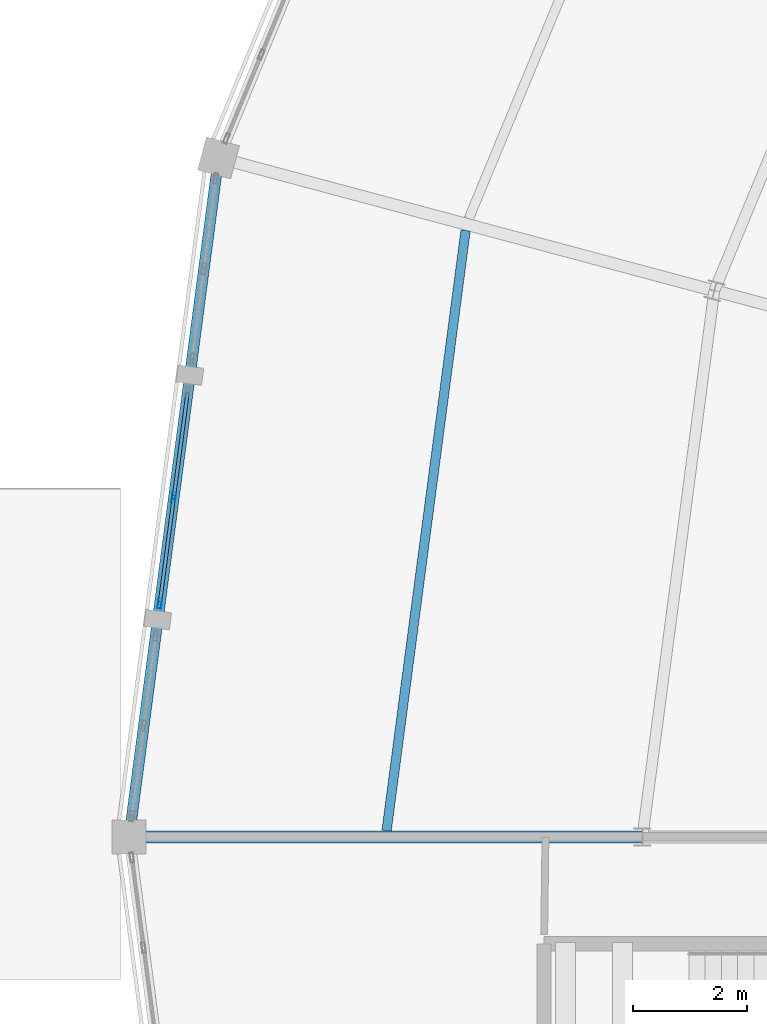
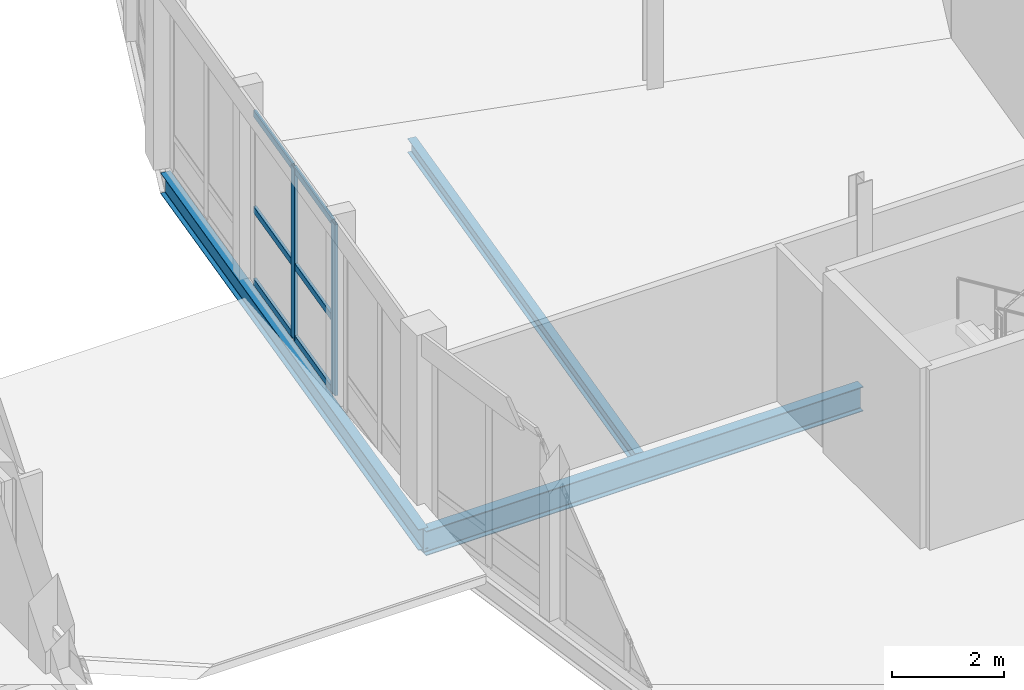
# One storey, part 50 of 170: 8 members, 3 beams, 1 element without a shape of its own.
"""IFC4 building model written with IfcOpenShell, lengths in metres."""

from ifc_helpers import new_model, si_unit, direction, frame, origin, origin_2d, place, context, subcontext, project, spatial, hollow_rectangle, i_section, extrude, material, material_profile, profile_set, type_object, element, aggregate, save


model = new_model("IFC4")

# Units and contexts
model_context = context("Model", 3, precision=1e-05, world=origin(), true_north=direction((0.0, 1.0)))
body_context = subcontext(model_context, "Body", "Model", "MODEL_VIEW")
ifc_project = project(units=[si_unit("LENGTHUNIT", "METRE"), si_unit("AREAUNIT", "SQUARE_METRE"), si_unit("VOLUMEUNIT", "CUBIC_METRE"), si_unit("PLANEANGLEUNIT", "RADIAN"), si_unit("MASSUNIT", "GRAM", prefix="KILO")], contexts=[model_context])

# Site, building, storey
site_placement = place(None, origin())
site = spatial("IfcSite", under=ifc_project, at=site_placement, CompositionType="ELEMENT")
building_placement = place(site_placement, origin())
building = spatial("IfcBuilding", under=site, at=building_placement, Name="Vondelvale Polytechnic", CompositionType="ELEMENT")
storey_placement = place(building_placement, frame((0.0, 0.0, 5.39990234375)))
storey = spatial("IfcBuildingStorey", under=building, at=storey_placement, Name="L01", CompositionType="ELEMENT", Elevation=5.39990234375)

# Beams
ifc_material_1 = material(Name="Steel 300PLUS (fy = 300 MPa)", Category="steel")
ifc_material_profile_1 = material_profile(ifc_material_1, i_section(OverallWidth=0.18994140625, OverallDepth=0.45703125, WebThickness=0.009033203125, FlangeThickness=0.014404296875, FilletRadius=0.011474609375, at=origin_2d()), Name="460UB74.6")
ifc_profile_set_1 = profile_set([ifc_material_profile_1], Name="Steel 300PLUS (fy = 300 MPa)")
beam_type_1 = type_object("IfcBeamType", Name="BM-UB460", PredefinedType="BEAM", material=ifc_profile_set_1)
beam_1_placement = place(storey_placement, frame((57.5673828125, 83.90576171875, -0.50830078125), z_axis=(-0.130522880875, -0.991445297315, 0.0), x_axis=(0.991445297315, -0.130522880875, 0.0)))
element("IfcBeam", 1, at=beam_1_placement, inside=storey, type_object=beam_type_1, Name="L01 RB B-13", PredefinedType="BEAM", context=body_context, shape_type="SweptSolid", body=[
    extrude(i_section(OverallWidth=0.18994140625, OverallDepth=0.45703125, WebThickness=0.009033203125, FlangeThickness=0.014404296875, FilletRadius=0.011474609375, at=origin_2d()), origin(), (0.0, 0.0, 1.0), 12.008544921875),
])
ifc_material_profile_2 = material_profile(ifc_material_1, i_section(OverallWidth=0.208984375, OverallDepth=0.532958984375, WebThickness=0.01025390625, FlangeThickness=0.015625, FilletRadius=0.013916015625, at=origin_2d()), Name="530UB92.4")
ifc_profile_set_2 = profile_set([ifc_material_profile_2], Name="Steel 300PLUS (fy = 300 MPa)")
beam_type_2 = type_object("IfcBeamType", Name="BM-UB530", PredefinedType="BEAM", material=ifc_profile_set_2)
beam_2_placement = place(storey_placement, frame((65.0, 72.0, -0.54638671875), z_axis=(-1.0, 0.0, 0.0), x_axis=(0.0, -1.0, 0.0)))
element("IfcBeam", 2, at=beam_2_placement, inside=storey, type_object=beam_type_2, Name="L01 RG B-11", PredefinedType="BEAM", context=body_context, shape_type="SweptSolid", body=[
    extrude(i_section(OverallWidth=0.208984375, OverallDepth=0.532958984375, WebThickness=0.01025390625, FlangeThickness=0.015625, FilletRadius=0.013916015625, at=origin_2d()), origin(), (0.0, 0.0, 1.0), 9.0),
])

# Curtain wall, members
ifc_material_2 = material(Name="Glulam GL18 structural Tasmanian oak (fb = 42 MPa)", Category="wood")
curtain_wall_type = type_object("IfcCurtainWallType", Name="CW-RING-OUTER", PredefinedType="NOTDEFINED", material=ifc_material_2)
curtain_wall_placement = place(storey_placement, origin())
curtain_wall = element("IfcCurtainWall", 3, at=curtain_wall_placement, inside=storey, type_object=curtain_wall_type, Name="L01 architectural curtain wall CW-04-246", PredefinedType="NOTDEFINED")
ifc_material_3 = material(Name="Anodised extruded aluminium 6063-T6", Category="aluminium")
ifc_material_profile_3 = material_profile(ifc_material_3, hollow_rectangle(XDim=0.06494140625, YDim=0.179931640625, WallThickness=0.00390625, at=origin_2d()), Name="CW-MUL-180x65")
ifc_profile_set_3 = profile_set([ifc_material_profile_3], Name="Anodised extruded aluminium 6063-T6")
member_type_1 = type_object("IfcMemberType", Name="CW-MUL-65x180", PredefinedType="MULLION", material=ifc_profile_set_3)
member_1_placement = place(storey_placement, frame((56.78369140625, 77.952880859375, 0.0), z_axis=(0.0, 0.0, 1.0), x_axis=(0.991448671082, -0.130497251349, 0.0)))
member_1 = element("IfcMember", 4, at=member_1_placement, type_object=member_type_1, Name="CW-04-246 mullion 2", PredefinedType="MULLION", context=body_context, shape_type="SweptSolid", body=[
    extrude(hollow_rectangle(XDim=0.06494140625, YDim=0.179931640625, WallThickness=0.00390625, at=origin_2d()), origin(), (0.0, 0.0, 1.0), 3.72021484375),
])
member_2_placement = place(storey_placement, frame((56.5390625, 76.0947265625, 0.0), z_axis=(0.0, 0.0, 1.0), x_axis=(0.991448671082, -0.130497251349, 0.0)))
member_2 = element("IfcMember", 5, at=member_2_placement, type_object=member_type_1, Name="CW-04-246 mullion 3", PredefinedType="MULLION", context=body_context, shape_type="SweptSolid", body=[
    extrude(hollow_rectangle(XDim=0.06494140625, YDim=0.179931640625, WallThickness=0.00390625, at=origin_2d()), origin(), (0.0, 0.0, 1.0), 3.72021484375),
])
ifc_material_profile_4 = material_profile(ifc_material_3, hollow_rectangle(XDim=0.06005859375, YDim=0.139892578125, WallThickness=0.00341796875, at=origin_2d()), Name="CW-TRN-140x60")
ifc_profile_set_4 = profile_set([ifc_material_profile_4], Name="Anodised extruded aluminium 6063-T6")
member_type_2 = type_object("IfcMemberType", Name="CW-TRN-60x140", PredefinedType="USERDEFINED", material=ifc_profile_set_4)
member_3_placement = place(storey_placement, frame((57.02392578125, 79.778564453125, 0.030029296875), z_axis=(-0.130510372288, -0.991446943979, 0.0), x_axis=(0.991446943979, -0.130510372288, 0.0)))
member_3 = element("IfcMember", 6, at=member_3_placement, type_object=member_type_2, Name="CW-04-246 transom 1.1", ObjectType="TRANSOM", PredefinedType="USERDEFINED", context=body_context, shape_type="SweptSolid", body=[
    extrude(hollow_rectangle(XDim=0.06005859375, YDim=0.139892578125, WallThickness=0.00341796875, at=origin_2d()), origin(), (0.0, 0.0, 1.0), 1.808837890625),
])
member_4_placement = place(storey_placement, frame((57.02392578125, 79.778564453125, 1.60009765625), z_axis=(-0.130510372288, -0.991446943979, 0.0), x_axis=(0.991446943979, -0.130510372288, 0.0)))
member_4 = element("IfcMember", 7, at=member_4_placement, type_object=member_type_2, Name="CW-04-246 transom 1.2", ObjectType="TRANSOM", PredefinedType="USERDEFINED", context=body_context, shape_type="SweptSolid", body=[
    extrude(hollow_rectangle(XDim=0.06005859375, YDim=0.139892578125, WallThickness=0.00341796875, at=origin_2d()), origin(), (0.0, 0.0, 1.0), 1.808837890625),
])
member_5_placement = place(storey_placement, frame((57.02392578125, 79.778564453125, 3.690185546875), z_axis=(-0.130510372288, -0.991446943979, 0.0), x_axis=(0.991446943979, -0.130510372288, 0.0)))
member_5 = element("IfcMember", 8, at=member_5_placement, type_object=member_type_2, Name="CW-04-246 transom 1.3", ObjectType="TRANSOM", PredefinedType="USERDEFINED", context=body_context, shape_type="SweptSolid", body=[
    extrude(hollow_rectangle(XDim=0.06005859375, YDim=0.139892578125, WallThickness=0.00341796875, at=origin_2d()), origin(), (0.0, 0.0, 1.0), 1.808837890625),
])
member_6_placement = place(storey_placement, frame((56.779541015625, 77.920654296875, 0.030029296875), z_axis=(-0.130492911033, -0.991449242357, 0.0), x_axis=(0.991449242357, -0.130492911033, 0.0)))
member_6 = element("IfcMember", 9, at=member_6_placement, type_object=member_type_2, Name="CW-04-246 transom 2.1", ObjectType="TRANSOM", PredefinedType="USERDEFINED", context=body_context, shape_type="SweptSolid", body=[
    extrude(hollow_rectangle(XDim=0.06005859375, YDim=0.139892578125, WallThickness=0.00341796875, at=origin_2d()), origin(), (0.0, 0.0, 1.0), 1.80908203125),
])
member_7_placement = place(storey_placement, frame((56.779541015625, 77.920654296875, 1.60009765625), z_axis=(-0.130492911033, -0.991449242357, 0.0), x_axis=(0.991449242357, -0.130492911033, 0.0)))
member_7 = element("IfcMember", 10, at=member_7_placement, type_object=member_type_2, Name="CW-04-246 transom 2.2", ObjectType="TRANSOM", PredefinedType="USERDEFINED", context=body_context, shape_type="SweptSolid", body=[
    extrude(hollow_rectangle(XDim=0.06005859375, YDim=0.139892578125, WallThickness=0.00341796875, at=origin_2d()), origin(), (0.0, 0.0, 1.0), 1.80908203125),
])
member_8_placement = place(storey_placement, frame((56.779541015625, 77.920654296875, 3.690185546875), z_axis=(-0.130492911033, -0.991449242357, 0.0), x_axis=(0.991449242357, -0.130492911033, 0.0)))
member_8 = element("IfcMember", 11, at=member_8_placement, type_object=member_type_2, Name="CW-04-246 transom 2.3", ObjectType="TRANSOM", PredefinedType="USERDEFINED", context=body_context, shape_type="SweptSolid", body=[
    extrude(hollow_rectangle(XDim=0.06005859375, YDim=0.139892578125, WallThickness=0.00341796875, at=origin_2d()), origin(), (0.0, 0.0, 1.0), 1.80908203125),
])
aggregate(curtain_wall, [member_1, member_2, member_3, member_4, member_5, member_6, member_7, member_8])

# Beam
ifc_material_profile_5 = material_profile(ifc_material_1, i_section(OverallWidth=0.1650390625, OverallDepth=0.303955078125, WebThickness=0.006103515625, FlangeThickness=0.01025390625, FilletRadius=0.011474609375, at=origin_2d()), Name="310UB40.4")
ifc_profile_set_5 = profile_set([ifc_material_profile_5], Name="Steel 300PLUS (fy = 300 MPa)")
beam_type_3 = type_object("IfcBeamType", Name="JST-UB310", PredefinedType="JOIST", material=ifc_profile_set_5)
beam_3_placement = place(storey_placement, frame((61.899658203125, 82.6318359375, -0.431884765625), z_axis=(-0.13051818119, -0.991445916013, 0.0), x_axis=(0.991445916013, -0.13051818119, 0.0)))
element("IfcBeam", 12, at=beam_3_placement, inside=storey, type_object=beam_type_3, Name="L01 RJ J-05", PredefinedType="JOIST", context=body_context, shape_type="SweptSolid", body=[
    extrude(i_section(OverallWidth=0.1650390625, OverallDepth=0.303955078125, WebThickness=0.006103515625, FlangeThickness=0.01025390625, FilletRadius=0.011474609375, at=origin_2d()), origin(), (0.0, 0.0, 1.0), 10.613525390625),
])

save(model, "model.ifc")
